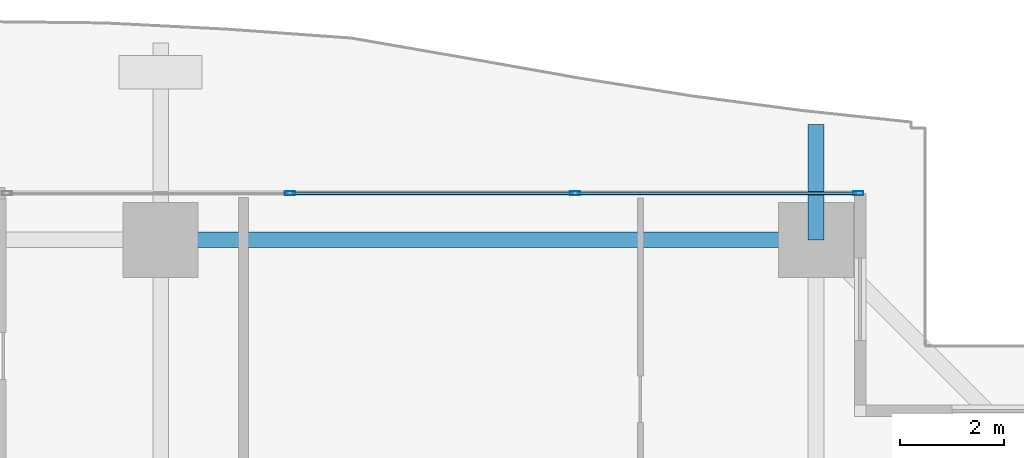
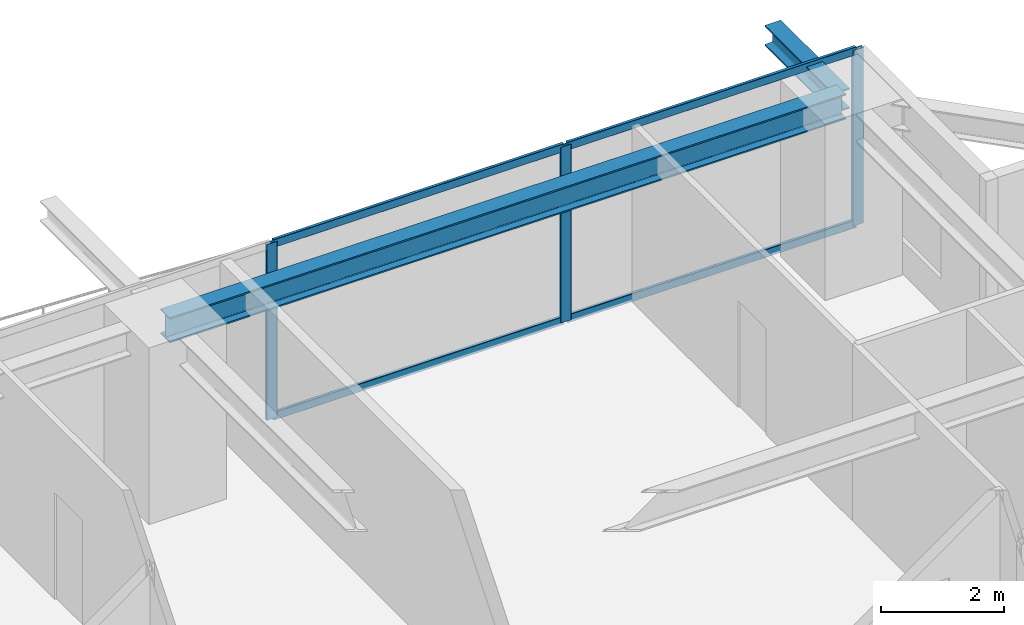
# One storey, part 24 of 37: 7 members, 2 beams, 1 element without a shape of its own.
"""IFC4 building model written with IfcOpenShell, lengths in metres."""

from ifc_helpers import new_model, si_unit, direction, frame, origin, origin_2d, place, context, subcontext, project, spatial, hollow_rectangle, i_section, extrude, source, transform, mapped, material, layer, layer_set, material_profile, profile_set, type_object, element, aggregate, save


model = new_model("IFC4")

# Units and contexts
model_context = context("Model", 3, precision=1e-05, world=origin(), true_north=direction((0.0, 1.0)))
body_context = subcontext(model_context, "Body", "Model", "MODEL_VIEW")
ifc_project = project(units=[si_unit("LENGTHUNIT", "METRE"), si_unit("AREAUNIT", "SQUARE_METRE"), si_unit("VOLUMEUNIT", "CUBIC_METRE"), si_unit("PLANEANGLEUNIT", "RADIAN"), si_unit("MASSUNIT", "GRAM", prefix="KILO")], contexts=[model_context])

# Site, building, storey
site_placement = place(None, origin())
site = spatial("IfcSite", under=ifc_project, at=site_placement, CompositionType="ELEMENT")
building_placement = place(site_placement, origin())
building = spatial("IfcBuilding", under=site, at=building_placement, Name="Serunith Strait Residences", CompositionType="ELEMENT")
storey_placement = place(building_placement, frame((0.0, 0.0, 26.699951171875)))
storey = spatial("IfcBuildingStorey", under=building, at=storey_placement, Name="L05", CompositionType="ELEMENT", Elevation=26.699951171875)

# Beams
ifc_material_1 = material(Name="Steel S355J2", Category="steel")
ifc_material_profile_1 = material_profile(ifc_material_1, i_section(OverallWidth=0.300048828125, OverallDepth=0.5, WebThickness=0.014404296875, FlangeThickness=0.028076171875, FilletRadius=0.027099609375, at=origin_2d()), Name="HEB 500")
ifc_profile_set_1 = profile_set([ifc_material_profile_1], Name="Steel S355J2")
beam_type_1 = type_object("IfcBeamType", Name="BM-HEB500", PredefinedType="BEAM", material=ifc_profile_set_1)
shared_shape_1 = source(origin(), body_context, "Body", "SweptSolid", [
    extrude(i_section(OverallWidth=0.300048828125, OverallDepth=0.5, WebThickness=0.014404296875, FlangeThickness=0.028076171875, FilletRadius=0.027099609375, at=origin_2d()), origin(), (0.0, 0.0, 1.0), 12.650146484375),
])
beam_1_placement = place(storey_placement, frame((49.550048828125, 49.300048828125, 3.237060546875), z_axis=(-1.0, 0.0, 0.0), x_axis=(0.0, -1.0, 0.0)))
element("IfcBeam", 1, at=beam_1_placement, inside=storey, type_object=beam_type_1, Name="L05 Perimeter Ring Beam 09", PredefinedType="BEAM", context=body_context, shape_type="MappedRepresentation", body=[
    mapped(shared_shape_1, transform((0.0, 0.0, 0.0), scale=1.0)),
])
ifc_material_profile_2 = material_profile(ifc_material_1, i_section(OverallWidth=0.300048828125, OverallDepth=0.39990234375, WebThickness=0.013427734375, FlangeThickness=0.02392578125, FilletRadius=0.027099609375, at=origin_2d()), Name="HEB 400")
ifc_profile_set_2 = profile_set([ifc_material_profile_2], Name="Steel S355J2")
beam_type_2 = type_object("IfcBeamType", Name="BM-HEB400", PredefinedType="BEAM", material=ifc_profile_set_2)
shared_shape_2 = source(origin(), body_context, "Body", "SweptSolid", [
    extrude(i_section(OverallWidth=0.300048828125, OverallDepth=0.39990234375, WebThickness=0.013427734375, FlangeThickness=0.02392578125, FilletRadius=0.027099609375, at=origin_2d()), origin(), (0.0, 0.0, 1.0), 2.2236328125),
])
beam_2_placement = place(storey_placement, frame((49.550048828125, 49.300048828125, 3.257080078125), z_axis=(0.0, 1.0, 0.0), x_axis=(-1.0, 0.0, 0.0)))
element("IfcBeam", 2, at=beam_2_placement, inside=storey, type_object=beam_type_2, Name="L06 Cantilevered Balcony Rib TC-N4", PredefinedType="BEAM", context=body_context, shape_type="MappedRepresentation", body=[
    mapped(shared_shape_2, transform((0.0, 0.0, 0.0), scale=1.0)),
])

# Curtain wall, members
ifc_material_2 = material(Name="Pale-Champagne Anodised Aluminium", Category="aluminium")
ifc_layer = layer(ifc_material_2, 0.199951171875, Name="Pale-Champagne Anodised Aluminium")
ifc_layer_set = layer_set([ifc_layer], Name="Pale-Champagne Anodised Aluminium")
curtain_wall_type = type_object("IfcCurtainWallType", Name="CW-SYS1", PredefinedType="NOTDEFINED", material=ifc_layer_set)
curtain_wall_placement = place(storey_placement, origin())
curtain_wall = element("IfcCurtainWall", 3, at=curtain_wall_placement, inside=storey, type_object=curtain_wall_type, Name="L05 N Unitised Fritted Curtain Wall", PredefinedType="NOTDEFINED")
ifc_material_profile_3 = material_profile(ifc_material_2, hollow_rectangle(XDim=0.070068359375, YDim=0.199951171875, WallThickness=0.00390625, InnerFilletRadius=0.006103515625, OuterFilletRadius=0.010009765625, at=origin_2d()), Name="ALU 200x70x4")
ifc_profile_set_3 = profile_set([ifc_material_profile_3], Name="Pale-Champagne Anodised Aluminium")
member_type_1 = type_object("IfcMemberType", Name="CW-SYS1-MULL", PredefinedType="MULLION", material=ifc_profile_set_3)
shared_shape_3 = source(origin(), body_context, "Body", "SweptSolid", [
    extrude(hollow_rectangle(XDim=0.070068359375, YDim=0.199951171875, WallThickness=0.00390625, InnerFilletRadius=0.006103515625, OuterFilletRadius=0.010009765625, at=origin_2d()), origin(), (0.0, 0.0, 1.0), 3.47509765625),
])
member_1_placement = place(storey_placement, frame((50.364990234375, 50.199951171875, 0.0), z_axis=(0.0, 0.0, 1.0), x_axis=(0.0, -1.0, 0.0)))
member_1 = element("IfcMember", 4, at=member_1_placement, type_object=member_type_1, Name="CW-1 mullion 1", PredefinedType="MULLION", context=body_context, shape_type="MappedRepresentation", body=[
    mapped(shared_shape_3, transform((0.0, 0.0, 0.0), scale=1.0)),
])
member_2_placement = place(storey_placement, frame((44.89990234375, 50.199951171875, 0.0), z_axis=(0.0, 0.0, 1.0), x_axis=(0.0, -1.0, 0.0)))
member_2 = element("IfcMember", 5, at=member_2_placement, type_object=member_type_1, Name="CW-1 mullion 2", PredefinedType="MULLION", context=body_context, shape_type="MappedRepresentation", body=[
    mapped(shared_shape_3, transform((0.0, 0.0, 0.0), scale=1.0)),
])
member_3_placement = place(storey_placement, frame((39.39990234375, 50.199951171875, 0.0), z_axis=(0.0, 0.0, 1.0), x_axis=(0.0, -1.0, 0.0)))
member_3 = element("IfcMember", 6, at=member_3_placement, type_object=member_type_1, Name="CW-1 mullion 3", PredefinedType="MULLION", context=body_context, shape_type="MappedRepresentation", body=[
    mapped(shared_shape_3, transform((0.0, 0.0, 0.0), scale=1.0)),
])
ifc_material_profile_4 = material_profile(ifc_material_2, hollow_rectangle(XDim=0.06005859375, YDim=0.159912109375, WallThickness=0.00341796875, InnerFilletRadius=0.00537109375, OuterFilletRadius=0.0087890625, at=origin_2d()), Name="ALU 160x60x3.5")
ifc_profile_set_4 = profile_set([ifc_material_profile_4], Name="Pale-Champagne Anodised Aluminium")
member_type_2 = type_object("IfcMemberType", Name="CW-SYS1-TRAN", PredefinedType="USERDEFINED", material=ifc_profile_set_4)
shared_shape_4 = source(origin(), body_context, "Body", "SweptSolid", [
    extrude(hollow_rectangle(XDim=0.06005859375, YDim=0.159912109375, WallThickness=0.00341796875, InnerFilletRadius=0.00537109375, OuterFilletRadius=0.0087890625, at=origin_2d()), origin(), (0.0, 0.0, 1.0), 5.39501953125),
])
member_4_placement = place(storey_placement, frame((50.330078125, 50.199951171875, 0.030029296875), z_axis=(-1.0, 0.0, 0.0), x_axis=(0.0, -1.0, 0.0)))
member_4 = element("IfcMember", 7, at=member_4_placement, type_object=member_type_2, Name="CW-1 transom 1.1", ObjectType="TRANSOM", PredefinedType="USERDEFINED", context=body_context, shape_type="MappedRepresentation", body=[
    mapped(shared_shape_4, transform((0.0, 0.0, 0.0), scale=1.0)),
])
member_5_placement = place(storey_placement, frame((50.330078125, 50.199951171875, 3.445068359375), z_axis=(-1.0, 0.0, 0.0), x_axis=(0.0, -1.0, 0.0)))
member_5 = element("IfcMember", 8, at=member_5_placement, type_object=member_type_2, Name="CW-1 transom 1.2", ObjectType="TRANSOM", PredefinedType="USERDEFINED", context=body_context, shape_type="MappedRepresentation", body=[
    mapped(shared_shape_4, transform((0.0, 0.0, 0.0), scale=1.0)),
])
shared_shape_5 = source(origin(), body_context, "Body", "SweptSolid", [
    extrude(hollow_rectangle(XDim=0.06005859375, YDim=0.159912109375, WallThickness=0.00341796875, InnerFilletRadius=0.00537109375, OuterFilletRadius=0.0087890625, at=origin_2d()), origin(), (0.0, 0.0, 1.0), 5.429931640625),
])
member_6_placement = place(storey_placement, frame((44.864990234375, 50.199951171875, 0.030029296875), z_axis=(-1.0, 0.0, 0.0), x_axis=(0.0, -1.0, 0.0)))
member_6 = element("IfcMember", 9, at=member_6_placement, type_object=member_type_2, Name="CW-1 transom 2.1", ObjectType="TRANSOM", PredefinedType="USERDEFINED", context=body_context, shape_type="MappedRepresentation", body=[
    mapped(shared_shape_5, transform((0.0, 0.0, 0.0), scale=1.0)),
])
member_7_placement = place(storey_placement, frame((44.864990234375, 50.199951171875, 3.445068359375), z_axis=(-1.0, 0.0, 0.0), x_axis=(0.0, -1.0, 0.0)))
member_7 = element("IfcMember", 10, at=member_7_placement, type_object=member_type_2, Name="CW-1 transom 2.2", ObjectType="TRANSOM", PredefinedType="USERDEFINED", context=body_context, shape_type="MappedRepresentation", body=[
    mapped(shared_shape_5, transform((0.0, 0.0, 0.0), scale=1.0)),
])
aggregate(curtain_wall, [member_1, member_2, member_3, member_4, member_5, member_6, member_7])

save(model, "model.ifc")
